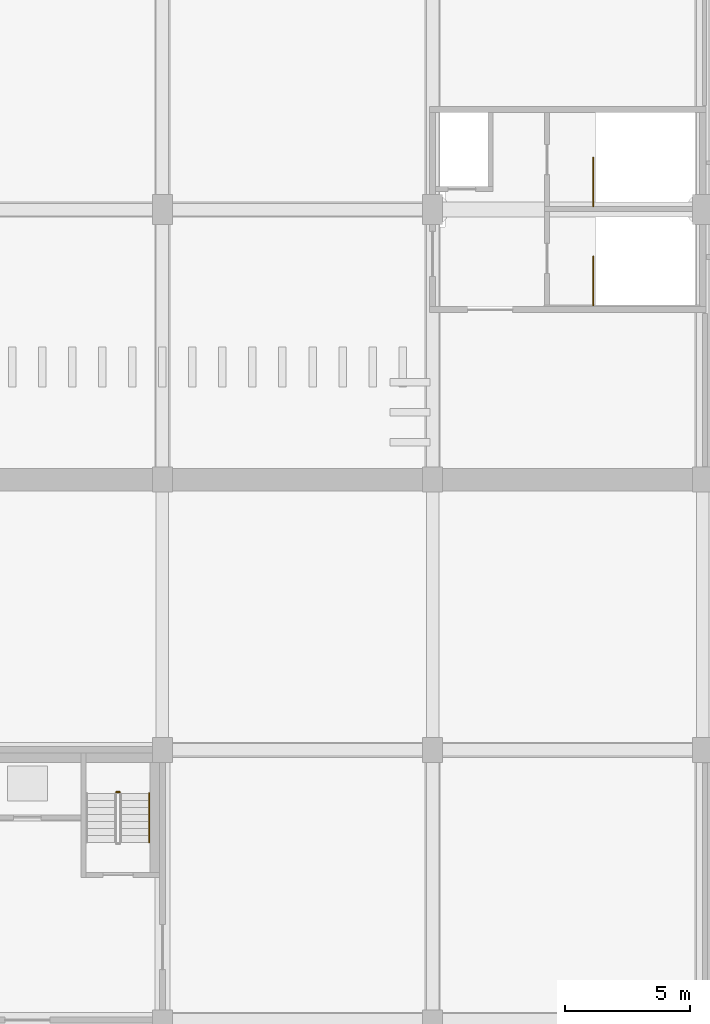
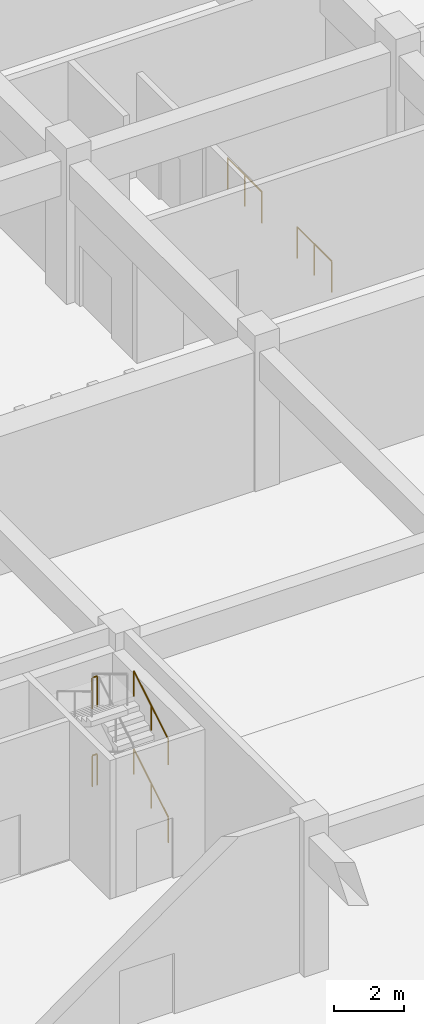
# One storey, part 95 of 101: 6 railings.
"""IFC4 building model written with IfcOpenShell, lengths in metres."""

from ifc_helpers import new_model, si_unit, direction, frame, origin, origin_2d, place, context, subcontext, project, spatial, circle, extrude, material, type_object, element, save


model = new_model("IFC4")

# Units and contexts
model_context = context("Model", 3, precision=1e-05, world=origin(), true_north=direction((0.0, 1.0)))
body_context = subcontext(model_context, "Body", "Model", "MODEL_VIEW")
ifc_project = project(units=[si_unit("LENGTHUNIT", "METRE"), si_unit("AREAUNIT", "SQUARE_METRE"), si_unit("VOLUMEUNIT", "CUBIC_METRE"), si_unit("PLANEANGLEUNIT", "RADIAN"), si_unit("MASSUNIT", "GRAM", prefix="KILO")], contexts=[model_context])

# Site, building, storey
site_placement = place(None, origin())
site = spatial("IfcSite", under=ifc_project, at=site_placement, CompositionType="ELEMENT")
building_placement = place(site_placement, origin())
building = spatial("IfcBuilding", under=site, at=building_placement, Name="Magnolia Steps Interchange", CompositionType="ELEMENT")
storey_placement = place(building_placement, frame((0.0, 0.0, -5.39990234375)))
storey = spatial("IfcBuildingStorey", under=building, at=storey_placement, Name="B1", CompositionType="ELEMENT", Elevation=-5.39990234375)

# Railings
ifc_material_1 = material(Name="Stainless steel grade 304", Category="steel")
railing_type_1 = type_object("IfcRailingType", Name="Stair guard 1100", PredefinedType="GUARDRAIL", material=ifc_material_1)
for number, where, name in (
    (1, (156.824951171875, 64.125, 0.0), "B1 ST13 top well guard 1"),
    (2, (156.824951171875, 60.175048828125, 0.0), "B1 ST14 top well guard 1"),
):
    element("IfcRailing", number, at=place(storey_placement, frame(where)), inside=storey, type_object=railing_type_1, Name=name, PredefinedType="GUARDRAIL", context=body_context, shape_type="SweptSolid", body=[
        extrude(circle(Radius=0.02392578125, at=origin_2d()), frame((0.0, 0.0, 1.076171875), z_axis=(0.0, 1.0, 0.0), x_axis=(-1.0, 0.0, 0.0)), (0.0, 0.0, 1.0), 1.949951171875),
        extrude(circle(Radius=0.02099609375, at=origin_2d()), origin(), (0.0, 0.0, 1.0), 1.052001953125),
        extrude(circle(Radius=0.02099609375, at=origin_2d()), frame((0.0, 0.97509765625, 0.0)), (0.0, 0.0, 1.0), 1.052001953125),
        extrude(circle(Radius=0.02099609375, at=origin_2d()), frame((0.0, 1.949951171875, 0.0)), (0.0, 0.0, 1.0), 1.052001953125),
    ])
for number, where, name in (
    (3, (137.89990234375, 40.7099609375, 1.349853515625), "B1 ST22 stair guard 2"),
    (4, (137.89990234375, 40.7099609375, 4.0498046875), "B1 ST22 stair guard 6"),
):
    element("IfcRailing", number, at=place(storey_placement, frame(where)), inside=storey, type_object=railing_type_1, Name=name, PredefinedType="GUARDRAIL", context=body_context, shape_type="SweptSolid", body=[
        extrude(circle(Radius=0.02392578125, at=origin_2d()), frame((0.0, 0.0, 1.076171875), z_axis=(-1.0, 0.0, 0.0), x_axis=(0.0, -1.0, 0.0)), (0.0, 0.0, 1.0), 0.14990234375),
        extrude(circle(Radius=0.02099609375, at=origin_2d()), origin(), (0.0, 0.0, 1.0), 1.052001953125),
        extrude(circle(Radius=0.02099609375, at=origin_2d()), frame((-0.14990234375, 0.0, 0.0)), (0.0, 0.0, 1.0), 1.052001953125),
    ])
ifc_material_2 = material(Name="Stainless steel grade 304", Category="steel")
railing_type_2 = type_object("IfcRailingType", Name="Stair handrail 900", PredefinedType="HANDRAIL", material=ifc_material_2)
for number, where, name in (
    (5, (139.075927734375, 38.699951171875, 0.168701171875), "B1 ST22 stair handrail 1"),
    (6, (139.075927734375, 38.699951171875, 2.86865234375), "B1 ST22 stair handrail 3"),
):
    element("IfcRailing", number, at=place(storey_placement, frame(where)), inside=storey, type_object=railing_type_2, Name=name, PredefinedType="HANDRAIL", context=body_context, shape_type="SweptSolid", body=[
        extrude(circle(Radius=0.02392578125, at=origin_2d()), frame((0.0, 0.0, 0.8759765625), z_axis=(0.0, 0.856493463811, 0.516157869696), x_axis=(-1.0, 0.0, 0.0)), (0.0, 0.0, 1.0), 2.288330078125),
        extrude(circle(Radius=0.02099609375, at=origin_2d()), origin(), (0.0, 0.0, 1.0), 0.851806640625),
        extrude(circle(Radius=0.02099609375, at=origin_2d()), frame((0.0, 0.97998046875, 0.590576171875)), (0.0, 0.0, 1.0), 0.851806640625),
        extrude(circle(Radius=0.02099609375, at=origin_2d()), frame((0.0, 1.9599609375, 1.18115234375)), (0.0, 0.0, 1.0), 0.851806640625),
    ])

save(model, "model.ifc")
